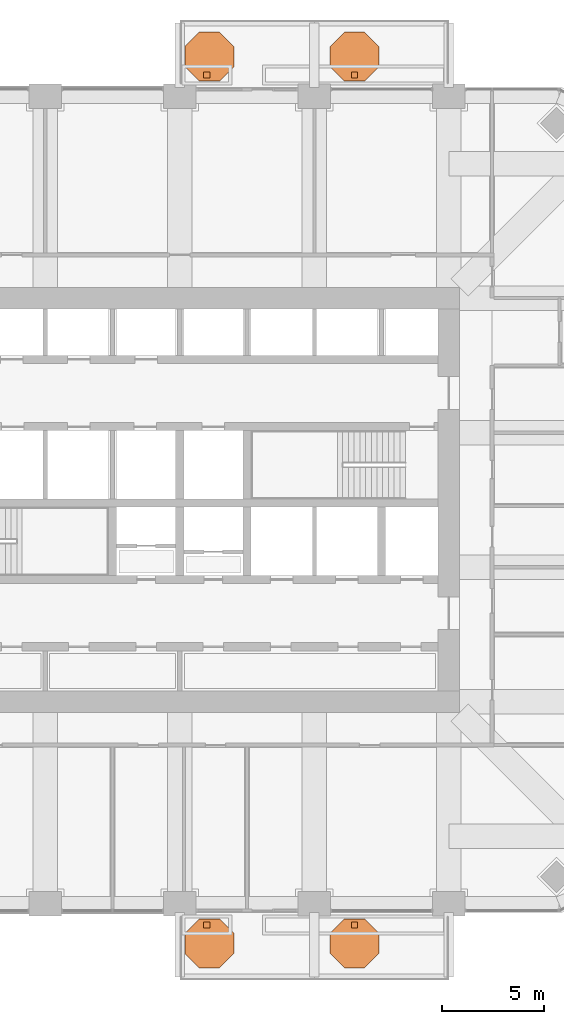
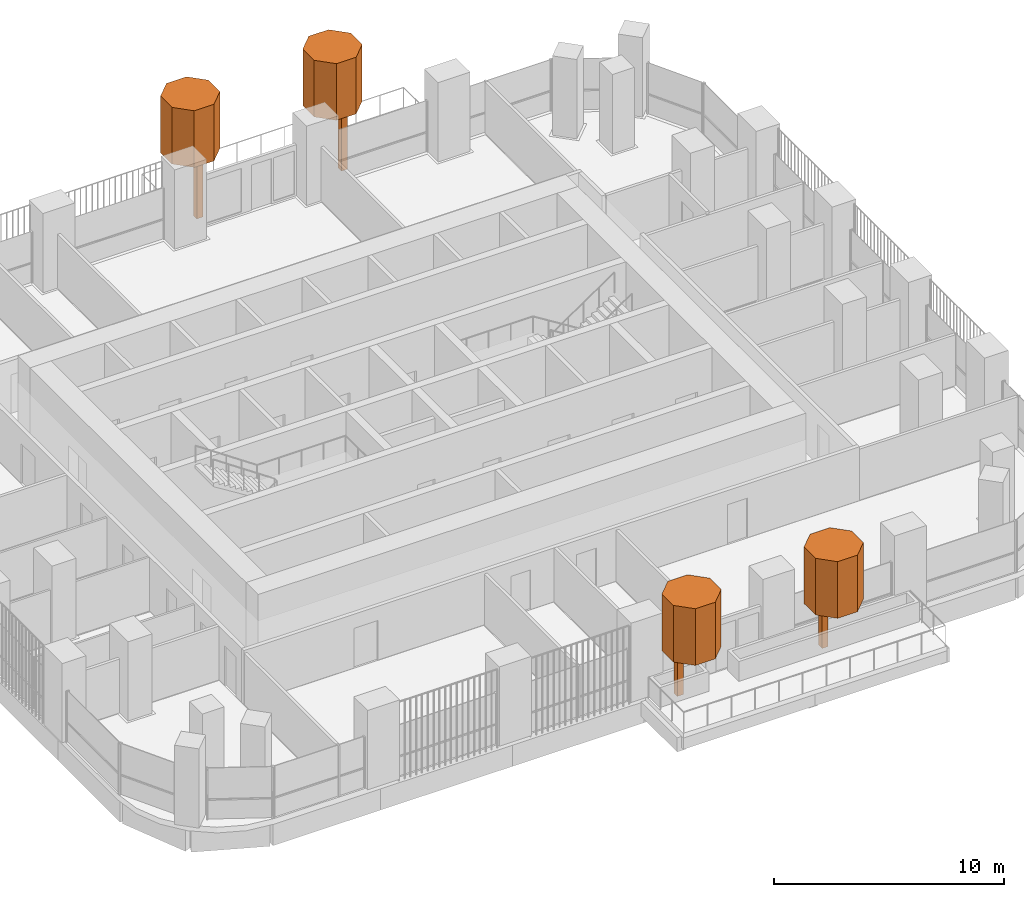
# One storey, part 19 of 19: 8 geographic elements.
"""IFC4 building model written with IfcOpenShell, lengths in metres."""

from ifc_helpers import new_model, si_unit, direction, frame, origin, origin_2d, place, context, subcontext, project, spatial, polyline, rectangle, outline, extrude, material, type_object, element, save


model = new_model("IFC4")

# Units and contexts
model_context = context("Model", 3, precision=1e-05, world=origin(), true_north=direction((0.0, 1.0)))
body_context = subcontext(model_context, "Body", "Model", "MODEL_VIEW")
ifc_project = project(units=[si_unit("LENGTHUNIT", "METRE"), si_unit("AREAUNIT", "SQUARE_METRE"), si_unit("VOLUMEUNIT", "CUBIC_METRE"), si_unit("PLANEANGLEUNIT", "RADIAN"), si_unit("MASSUNIT", "GRAM", prefix="KILO")], contexts=[model_context])

# Site, building, storey
site_placement = place(None, origin())
site = spatial("IfcSite", under=ifc_project, at=site_placement, CompositionType="ELEMENT")
building_placement = place(site_placement, origin())
building = spatial("IfcBuilding", under=site, at=building_placement, Name="Cobogo Forest Laboratory Tower", CompositionType="ELEMENT")
storey_placement = place(building_placement, frame((0.0, 0.0, 197.699951171875)))
storey = spatial("IfcBuildingStorey", under=building, at=storey_placement, Name="L45", CompositionType="ELEMENT", Elevation=197.699951171875)

# Geographic elements
ifc_material = material(Name="Planting", Category="plant")
geographic_element_type_1 = type_object("IfcGeographicElementType", Name="Tree trunk 300", PredefinedType="USERDEFINED", material=ifc_material)
for number, where, z_axis, x_axis, name in (
    (1, (27.72509765625, 2.25, 0.0), (0.0, 0.0, 1.0), (1.0, 0.0, 0.0), "Tree trunk BAL-S1-PL1 L45"),
    (2, (34.97509765625, 2.25, 0.0), (0.0, 0.0, 1.0), (1.0, 0.0, 0.0), "Tree trunk BAL-S1-PL2 L45"),
    (3, (27.72509765625, 43.949951171875, 0.0), (0.0, 0.0, 1.0), (1.0, 0.0, 0.0), "Tree trunk BAL-N1-PL1 L45"),
    (4, (34.97509765625, 43.949951171875, 0.0), (0.0, 0.0, 1.0), (1.0, 0.0, 0.0), "Tree trunk BAL-N1-PL2 L45"),
):
    element("IfcGeographicElement", number, at=place(storey_placement, frame(where, z_axis=z_axis, x_axis=x_axis)), inside=storey, type_object=geographic_element_type_1, Name=name, ObjectType="TREE TRUNK", PredefinedType="USERDEFINED", context=body_context, shape_type="SweptSolid", body=[
        extrude(rectangle(XDim=0.300048828125, YDim=0.300048828125, at=origin_2d()), origin(), (0.0, 0.0, 1.0), 2.89990234375),
    ])
geographic_element_type_2 = type_object("IfcGeographicElementType", Name="Tree, holm oak 5 m", PredefinedType="USERDEFINED", material=ifc_material)
geographic_element_1_placement = place(storey_placement, frame((0.0, 0.0, 2.900146484375)))
element("IfcGeographicElement", 5, at=geographic_element_1_placement, inside=storey, type_object=geographic_element_type_2, Name="Holm tree BAL-S1-PL1 L45", ObjectType="TREE", PredefinedType="USERDEFINED", context=body_context, shape_type="SweptSolid", body=[
    extrude(outline(polyline([(29.050048828125, 0.85302734375), (29.050048828125, 1.84716796875), (28.34716796875, 2.550048828125), (27.35302734375, 2.550048828125), (26.64990234375, 1.84716796875), (26.64990234375, 0.85302734375), (27.35302734375, 0.14990234375), (28.34716796875, 0.14990234375), (29.050048828125, 0.85302734375)])), origin(), (0.0, 0.0, 1.0), 3.0),
])
geographic_element_2_placement = place(storey_placement, frame((0.0, 0.0, 2.900146484375)))
element("IfcGeographicElement", 6, at=geographic_element_2_placement, inside=storey, type_object=geographic_element_type_2, Name="Holm tree BAL-S1-PL2 L45", ObjectType="TREE", PredefinedType="USERDEFINED", context=body_context, shape_type="SweptSolid", body=[
    extrude(outline(polyline([(36.175048828125, 0.85302734375), (36.175048828125, 1.84716796875), (35.47216796875, 2.550048828125), (34.47802734375, 2.550048828125), (33.77490234375, 1.84716796875), (33.77490234375, 0.85302734375), (34.47802734375, 0.14990234375), (35.47216796875, 0.14990234375), (36.175048828125, 0.85302734375)])), origin(), (0.0, 0.0, 1.0), 3.0),
])
geographic_element_3_placement = place(storey_placement, frame((0.0, 0.0, 2.900146484375)))
element("IfcGeographicElement", 7, at=geographic_element_3_placement, inside=storey, type_object=geographic_element_type_2, Name="Holm tree BAL-N1-PL1 L45", ObjectType="TREE", PredefinedType="USERDEFINED", context=body_context, shape_type="SweptSolid", body=[
    extrude(outline(polyline([(29.050048828125, 44.35302734375), (29.050048828125, 45.34716796875), (28.34716796875, 46.050048828125), (27.35302734375, 46.050048828125), (26.64990234375, 45.34716796875), (26.64990234375, 44.35302734375), (27.35302734375, 43.64990234375), (28.34716796875, 43.64990234375), (29.050048828125, 44.35302734375)])), origin(), (0.0, 0.0, 1.0), 3.0),
])
geographic_element_4_placement = place(storey_placement, frame((0.0, 0.0, 2.900146484375)))
element("IfcGeographicElement", 8, at=geographic_element_4_placement, inside=storey, type_object=geographic_element_type_2, Name="Holm tree BAL-N1-PL2 L45", ObjectType="TREE", PredefinedType="USERDEFINED", context=body_context, shape_type="SweptSolid", body=[
    extrude(outline(polyline([(36.175048828125, 44.35302734375), (36.175048828125, 45.34716796875), (35.47216796875, 46.050048828125), (34.47802734375, 46.050048828125), (33.77490234375, 45.34716796875), (33.77490234375, 44.35302734375), (34.47802734375, 43.64990234375), (35.47216796875, 43.64990234375), (36.175048828125, 44.35302734375)])), origin(), (0.0, 0.0, 1.0), 3.0),
])

save(model, "model.ifc")
